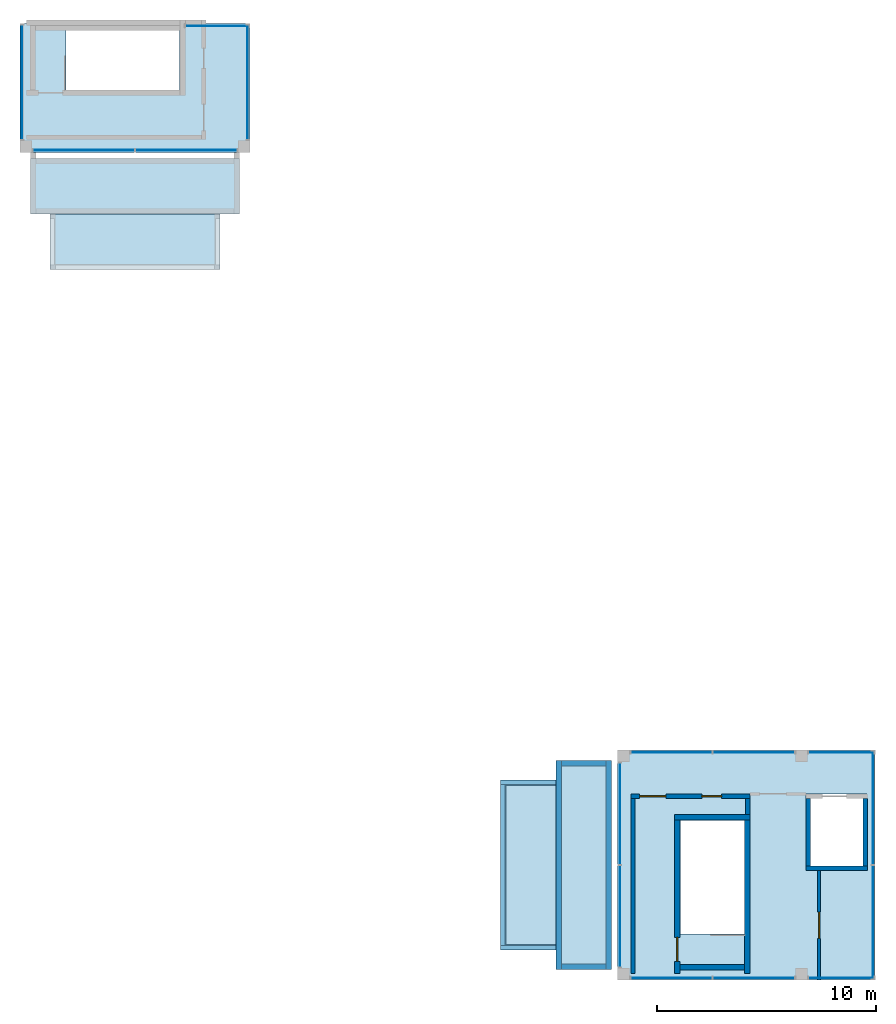
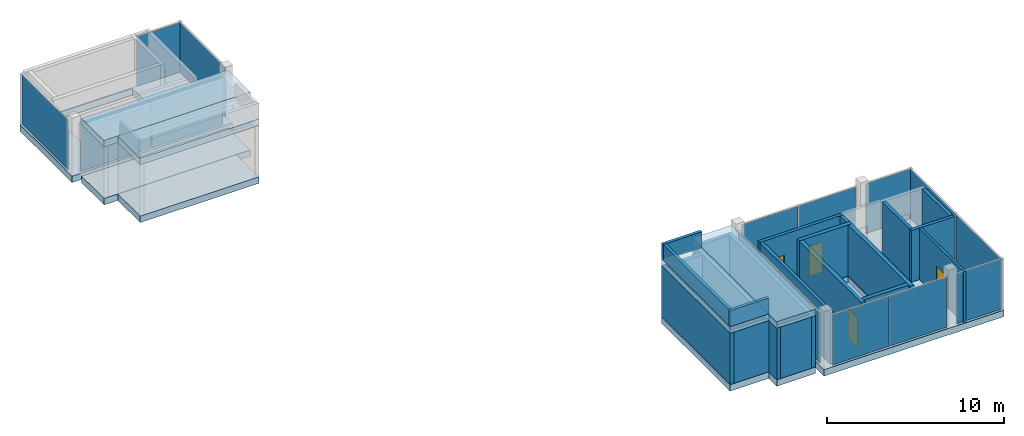
# One storey, part 4 of 6: 21 walls, 15 plates, 10 slabs, 4 doors, 4 openings, 10 elements without a shape of their own.
"""IFC4 building model written with IfcOpenShell, lengths in metres."""

from ifc_helpers import new_model, si_unit, direction, frame, frame_2d, origin, origin_2d, place, context, subcontext, project, spatial, polyline, rectangle, outline, extrude, source, transform, mapped, material, layer, layer_set, type_object, element, fill, aggregate, save


model = new_model("IFC4")

# Units and contexts
model_context = context("Model", 3, precision=1e-05, world=origin(), true_north=direction((0.0, 1.0)))
body_context = subcontext(model_context, "Body", "Model", "MODEL_VIEW")
ifc_project = project(units=[si_unit("LENGTHUNIT", "METRE"), si_unit("AREAUNIT", "SQUARE_METRE"), si_unit("VOLUMEUNIT", "CUBIC_METRE"), si_unit("PLANEANGLEUNIT", "RADIAN"), si_unit("MASSUNIT", "GRAM", prefix="KILO")], contexts=[model_context])

# Site, building, storey
site_placement = place(None, origin())
site = spatial("IfcSite", under=ifc_project, at=site_placement, CompositionType="ELEMENT")
building_placement = place(site_placement, origin())
building = spatial("IfcBuilding", under=site, at=building_placement, Name="Aurelian Terraces", CompositionType="ELEMENT")
storey_placement = place(building_placement, frame((0.0, 0.0, 380.5)))
storey = spatial("IfcBuildingStorey", under=building, at=storey_placement, Name="L91", CompositionType="ELEMENT", Elevation=380.5)

# Slabs
ifc_material_1 = material(Name="Concrete fc' 40 MPa", Category="concrete")
ifc_layer_1 = layer(ifc_material_1, 0.45)
ifc_layer_set_1 = layer_set([ifc_layer_1], Name="CROWN PLANT FLOOR 450")
slab_type_1 = type_object("IfcSlabType", Name="CROWN PLANT FLOOR 450", PredefinedType="FLOOR", material=ifc_layer_set_1)
slab_1_placement = place(storey_placement, frame((0.0, 0.0, -0.45)))
element("IfcSlab", 1, at=slab_1_placement, inside=storey, type_object=slab_type_1, Name="Crown tier plant floor slab A1S2", PredefinedType="FLOOR", context=body_context, shape_type="SweptSolid", body=[
    extrude(outline(polyline([(34.992, 1.375), (34.992, 9.125), (32.458, 9.125), (32.458, 1.375), (34.992, 1.375)])), origin(), (0.0, 0.0, 1.0), 0.45),
])
slab_2_placement = place(storey_placement, frame((0.0, 0.0, -0.45)))
element("IfcSlab", 2, at=slab_2_placement, inside=storey, type_object=slab_type_1, Name="Crown tier plant floor slab A1S3", PredefinedType="FLOOR", context=body_context, shape_type="SweptSolid", body=[
    extrude(outline(polyline([(37.525, 0.475), (37.525, 10.025), (34.992, 10.025), (34.992, 0.475), (37.525, 0.475)])), origin(), (0.0, 0.0, 1.0), 0.45),
])
slab_3_placement = place(storey_placement, frame((0.0, 0.0, -0.45)))
element("IfcSlab", 3, at=slab_3_placement, inside=storey, type_object=slab_type_1, Name="Crown tier plant floor slab BS2", PredefinedType="FLOOR", context=body_context, shape_type="SweptSolid", body=[
    extrude(outline(polyline([(19.625, 32.458), (19.625, 34.992), (11.875, 34.992), (11.875, 32.458), (19.625, 32.458)])), origin(), (0.0, 0.0, 1.0), 0.45),
])
slab_4_placement = place(storey_placement, frame((0.0, 0.0, -0.45)))
element("IfcSlab", 4, at=slab_4_placement, inside=storey, type_object=slab_type_1, Name="Crown tier plant floor slab BS3", PredefinedType="FLOOR", context=body_context, shape_type="SweptSolid", body=[
    extrude(outline(polyline([(20.525, 34.992), (20.525, 37.525), (10.975, 37.525), (10.975, 34.992), (20.525, 34.992)])), origin(), (0.0, 0.0, 1.0), 0.45),
])
ifc_layer_2 = layer(ifc_material_1, 0.45)
ifc_layer_set_2 = layer_set([ifc_layer_2], Name="CROWN ROOF SLAB 450")
slab_type_2 = type_object("IfcSlabType", Name="CROWN ROOF SLAB 450", PredefinedType="ROOF", material=ifc_layer_set_2)
slab_5_placement = place(storey_placement, frame((0.0, 0.0, 3.55)))
element("IfcSlab", 5, at=slab_5_placement, inside=storey, type_object=slab_type_2, Name="Crown tier roof slab A1S2", PredefinedType="ROOF", context=body_context, shape_type="SweptSolid", body=[
    extrude(outline(polyline([(34.992, 1.375), (34.992, 9.125), (32.458, 9.125), (32.458, 1.375), (34.992, 1.375)])), origin(), (0.0, 0.0, 1.0), 0.45),
])
slab_6_placement = place(storey_placement, frame((0.0, 0.0, 3.55)))
element("IfcSlab", 6, at=slab_6_placement, inside=storey, type_object=slab_type_2, Name="Crown tier roof slab BS2", PredefinedType="ROOF", context=body_context, shape_type="SweptSolid", body=[
    extrude(outline(polyline([(19.625, 32.458), (19.625, 34.992), (11.875, 34.992), (11.875, 32.458), (19.625, 32.458)])), origin(), (0.0, 0.0, 1.0), 0.45),
])

# Curtain wall, plate
ifc_material_2 = material(Name="Anodised aluminium and clear glazing", Category="aluminium")
ifc_layer_3 = layer(ifc_material_2, 0.2)
ifc_layer_set_3 = layer_set([ifc_layer_3], Name="Crown glazing curtain wall")
curtain_wall_type = type_object("IfcCurtainWallType", Name="Crown glazing curtain wall", PredefinedType="NOTDEFINED", material=ifc_layer_set_3)
curtain_wall_1_placement = place(storey_placement, origin())
curtain_wall_1 = element("IfcCurtainWall", 7, at=curtain_wall_1_placement, inside=storey, type_object=curtain_wall_type, Name="Crown glazing L91 F01.1", PredefinedType="NOTDEFINED")
ifc_material_3 = material(Name="Clear glazing", Category="glass")
ifc_layer_4 = layer(ifc_material_3, 0.028)
ifc_layer_set_4 = layer_set([ifc_layer_4], Name="Crown glazing glazing panel")
plate_type = type_object("IfcPlateType", Name="Crown glazing glazing panel", PredefinedType="CURTAIN_PANEL", material=ifc_layer_set_4)
plate_1_placement = place(storey_placement, frame((40.2588, 0.1, 0.06), z_axis=(0.0, 0.0, 1.0), x_axis=(1.0, 0.0, 0.0)))
plate_1 = element("IfcPlate", 8, at=plate_1_placement, type_object=plate_type, Name="CW4 panel 1.1", PredefinedType="CURTAIN_PANEL", context=body_context, shape_type="SweptSolid", body=[
    extrude(rectangle(XDim=3.6975, YDim=0.028, at=origin_2d()), origin(), (0.0, 0.0, 1.0), 3.43),
])

curtain_wall_2_placement = place(storey_placement, origin())
curtain_wall_2 = element("IfcCurtainWall", 9, at=curtain_wall_2_placement, inside=storey, type_object=curtain_wall_type, Name="Crown glazing L91 F01.2", PredefinedType="NOTDEFINED")
plate_2_placement = place(storey_placement, frame((48.0175, 0.1, 0.06), z_axis=(0.0, 0.0, 1.0), x_axis=(1.0, 0.0, 0.0)))
plate_2 = element("IfcPlate", 10, at=plate_2_placement, type_object=plate_type, Name="CW4 panel 1.1", PredefinedType="CURTAIN_PANEL", context=body_context, shape_type="SweptSolid", body=[
    extrude(rectangle(XDim=2.965, YDim=0.028, at=origin_2d()), origin(), (0.0, 0.0, 1.0), 3.43),
])
aggregate(curtain_wall_2, [plate_2])

curtain_wall_3_placement = place(storey_placement, origin())
curtain_wall_3 = element("IfcCurtainWall", 11, at=curtain_wall_3_placement, inside=storey, type_object=curtain_wall_type, Name="Crown glazing L91 F02.1", PredefinedType="NOTDEFINED")
plate_3_placement = place(storey_placement, frame((49.46, 2.64, 0.06), z_axis=(0.0, 0.0, 1.0), x_axis=(0.0, 1.0, 0.0)))
plate_3 = element("IfcPlate", 12, at=plate_3_placement, type_object=plate_type, Name="CW4 panel 1.1", PredefinedType="CURTAIN_PANEL", context=body_context, shape_type="SweptSolid", body=[
    extrude(rectangle(XDim=5.16, YDim=0.028, at=origin_2d()), origin(), (0.0, 0.0, 1.0), 3.43),
])

curtain_wall_4_placement = place(storey_placement, origin())
curtain_wall_4 = element("IfcCurtainWall", 13, at=curtain_wall_4_placement, inside=storey, type_object=curtain_wall_type, Name="Crown glazing L91 F04.1", PredefinedType="NOTDEFINED")
plate_4_placement = place(storey_placement, frame((37.9, 7.585, 0.06), z_axis=(0.0, 0.0, 1.0), x_axis=(0.0, -1.0, 0.0)))
plate_4 = element("IfcPlate", 14, at=plate_4_placement, type_object=plate_type, Name="CW4 panel 1.1", PredefinedType="CURTAIN_PANEL", context=body_context, shape_type="SweptSolid", body=[
    extrude(rectangle(XDim=4.61, YDim=0.028, at=origin_2d()), origin(), (0.0, 0.0, 1.0), 3.43),
])

curtain_wall_5_placement = place(storey_placement, origin())
curtain_wall_5 = element("IfcCurtainWall", 15, at=curtain_wall_5_placement, inside=storey, type_object=curtain_wall_type, Name="Crown glazing L91 F06.1", PredefinedType="NOTDEFINED")
plate_5_placement = place(storey_placement, frame((20.9, 41.015, 0.06), z_axis=(0.0, 0.0, 1.0), x_axis=(0.0, 1.0, 0.0)))
plate_5 = element("IfcPlate", 16, at=plate_5_placement, type_object=plate_type, Name="CW4 panel 1.1", PredefinedType="CURTAIN_PANEL", context=body_context, shape_type="SweptSolid", body=[
    extrude(rectangle(XDim=5.21, YDim=0.028, at=origin_2d()), origin(), (0.0, 0.0, 1.0), 3.43),
])
aggregate(curtain_wall_5, [plate_5])

curtain_wall_6_placement = place(storey_placement, origin())
curtain_wall_6 = element("IfcCurtainWall", 17, at=curtain_wall_6_placement, inside=storey, type_object=curtain_wall_type, Name="Crown glazing L91 F07.1", PredefinedType="NOTDEFINED")
plate_6_placement = place(storey_placement, frame((19.5, 43.58, 0.06), z_axis=(0.0, 0.0, 1.0), x_axis=(-1.0, 0.0, 0.0)))
plate_6 = element("IfcPlate", 18, at=plate_6_placement, type_object=plate_type, Name="CW4 panel 1.1", PredefinedType="CURTAIN_PANEL", context=body_context, shape_type="SweptSolid", body=[
    extrude(rectangle(XDim=2.88, YDim=0.028, at=origin_2d()), origin(), (0.0, 0.0, 1.0), 3.43),
])
aggregate(curtain_wall_6, [plate_6])

# Slabs
ifc_layer_5 = layer(ifc_material_1, 0.45)
ifc_layer_set_5 = layer_set([ifc_layer_5], Name="PT FLAT PLATE 450")
slab_type_3 = type_object("IfcSlabType", Name="PT FLAT PLATE 450", PredefinedType="FLOOR", material=ifc_layer_set_5)
shared_shape_1 = source(origin(), body_context, "Body", "SweptSolid", [
    extrude(outline(polyline([(37.8, 0.0), (37.8, 10.5), (49.56, 10.5), (49.56, 6.3), (49.56, 4.2), (49.56, 0.0), (46.2, 0.0), (37.8, 0.0)]), holes=[polyline([(46.41, 8.49), (46.41, 5.01), (49.19, 5.01), (49.19, 8.49), (46.41, 8.49)]), polyline([(43.59, 2.11), (43.59, 7.29), (40.66, 7.29), (40.66, 2.11), (43.59, 2.11)])]), origin(), (0.0, 0.0, 1.0), 0.45),
])
slab_7_placement = place(storey_placement, frame((0.0, 0.0, -0.45)))
element("IfcSlab", 19, at=slab_7_placement, inside=storey, type_object=slab_type_3, Name="Floor slab A L91", PredefinedType="FLOOR", context=body_context, shape_type="MappedRepresentation", body=[
    mapped(shared_shape_1, transform((0.0, 0.0, 0.0), scale=1.0)),
])
shared_shape_2 = source(origin(), body_context, "Body", "SweptSolid", [
    extrude(outline(polyline([(14.7, 43.68), (16.8, 43.68), (21.0, 43.68), (21.0, 37.8), (10.5, 37.8), (10.5, 43.68), (14.7, 43.68)]), holes=[polyline([(12.61, 43.59), (12.61, 40.66), (17.79, 40.66), (17.79, 43.59), (12.61, 43.59)])]), origin(), (0.0, 0.0, 1.0), 0.45),
])
slab_8_placement = place(storey_placement, frame((0.0, 0.0, -0.45)))
element("IfcSlab", 20, at=slab_8_placement, inside=storey, type_object=slab_type_3, Name="Floor slab B L91", PredefinedType="FLOOR", context=body_context, shape_type="MappedRepresentation", body=[
    mapped(shared_shape_2, transform((0.0, 0.0, 0.0), scale=1.0)),
])
shared_shape_3 = source(origin(), body_context, "Body", "SweptSolid", [
    extrude(outline(polyline([(37.525, 0.475), (37.525, 10.025), (34.992, 10.025), (34.992, 0.475), (37.525, 0.475)])), origin(), (0.0, 0.0, 1.0), 0.45),
])
slab_9_placement = place(storey_placement, frame((0.0, 0.0, 3.55)))
element("IfcSlab", 21, at=slab_9_placement, inside=storey, type_object=slab_type_1, Name="Crown tier plant floor slab A1S3", PredefinedType="FLOOR", context=body_context, shape_type="MappedRepresentation", body=[
    mapped(shared_shape_3, transform((0.0, 0.0, 0.0), scale=1.0)),
])
shared_shape_4 = source(origin(), body_context, "Body", "SweptSolid", [
    extrude(outline(polyline([(20.525, 34.992), (20.525, 37.525), (10.975, 37.525), (10.975, 34.992), (20.525, 34.992)])), origin(), (0.0, 0.0, 1.0), 0.45),
])
slab_10_placement = place(storey_placement, frame((0.0, 0.0, 3.55)))
element("IfcSlab", 22, at=slab_10_placement, inside=storey, type_object=slab_type_1, Name="Crown tier plant floor slab BS3", PredefinedType="FLOOR", context=body_context, shape_type="MappedRepresentation", body=[
    mapped(shared_shape_4, transform((0.0, 0.0, 0.0), scale=1.0)),
])

# Plate
shared_shape_5 = source(origin(), body_context, "Body", "SweptSolid", [
    extrude(rectangle(XDim=3.6975, YDim=0.028, at=origin_2d()), origin(), (0.0, 0.0, 1.0), 3.43),
])
plate_7_placement = place(storey_placement, frame((44.0162, 0.1, 0.06), z_axis=(0.0, 0.0, 1.0), x_axis=(1.0, 0.0, 0.0)))
plate_7 = element("IfcPlate", 23, at=plate_7_placement, type_object=plate_type, Name="CW4 panel 2.1", PredefinedType="CURTAIN_PANEL", context=body_context, shape_type="MappedRepresentation", body=[
    mapped(shared_shape_5, transform((0.0, 0.0, 0.0), scale=1.0)),
])

aggregate(curtain_wall_1, [plate_1, plate_7])

# Curtain wall, plates
curtain_wall_7_placement = place(storey_placement, origin())
curtain_wall_7 = element("IfcCurtainWall", 24, at=curtain_wall_7_placement, inside=storey, type_object=curtain_wall_type, Name="Crown glazing L91 F03.2", PredefinedType="NOTDEFINED")
plate_8_placement = place(storey_placement, frame((44.0162, 10.4, 0.06), z_axis=(0.0, 0.0, 1.0), x_axis=(-1.0, 0.0, 0.0)))
plate_8 = element("IfcPlate", 25, at=plate_8_placement, type_object=plate_type, Name="CW4 panel 1.1", PredefinedType="CURTAIN_PANEL", context=body_context, shape_type="MappedRepresentation", body=[
    mapped(shared_shape_5, transform((0.0, 0.0, 0.0), scale=1.0)),
])
plate_9_placement = place(storey_placement, frame((40.2588, 10.4, 0.06), z_axis=(0.0, 0.0, 1.0), x_axis=(-1.0, 0.0, 0.0)))
plate_9 = element("IfcPlate", 26, at=plate_9_placement, type_object=plate_type, Name="CW4 panel 2.1", PredefinedType="CURTAIN_PANEL", context=body_context, shape_type="MappedRepresentation", body=[
    mapped(shared_shape_5, transform((0.0, 0.0, 0.0), scale=1.0)),
])
aggregate(curtain_wall_7, [plate_8, plate_9])

# Plate
shared_shape_6 = source(origin(), body_context, "Body", "SweptSolid", [
    extrude(rectangle(XDim=5.16, YDim=0.028, at=origin_2d()), origin(), (0.0, 0.0, 1.0), 3.43),
])
plate_10_placement = place(storey_placement, frame((49.46, 7.86, 0.06), z_axis=(0.0, 0.0, 1.0), x_axis=(0.0, 1.0, 0.0)))
plate_10 = element("IfcPlate", 27, at=plate_10_placement, type_object=plate_type, Name="CW4 panel 2.1", PredefinedType="CURTAIN_PANEL", context=body_context, shape_type="MappedRepresentation", body=[
    mapped(shared_shape_6, transform((0.0, 0.0, 0.0), scale=1.0)),
])

aggregate(curtain_wall_3, [plate_3, plate_10])

# Curtain wall, plate
curtain_wall_8_placement = place(storey_placement, origin())
curtain_wall_8 = element("IfcCurtainWall", 28, at=curtain_wall_8_placement, inside=storey, type_object=curtain_wall_type, Name="Crown glazing L91 F03.1", PredefinedType="NOTDEFINED")
shared_shape_7 = source(origin(), body_context, "Body", "SweptSolid", [
    extrude(rectangle(XDim=2.965, YDim=0.028, at=origin_2d()), origin(), (0.0, 0.0, 1.0), 3.43),
])
plate_11_placement = place(storey_placement, frame((48.0175, 10.4, 0.06), z_axis=(0.0, 0.0, 1.0), x_axis=(-1.0, 0.0, 0.0)))
plate_11 = element("IfcPlate", 29, at=plate_11_placement, type_object=plate_type, Name="CW4 panel 1.1", PredefinedType="CURTAIN_PANEL", context=body_context, shape_type="MappedRepresentation", body=[
    mapped(shared_shape_7, transform((0.0, 0.0, 0.0), scale=1.0)),
])
aggregate(curtain_wall_8, [plate_11])

# Plate
shared_shape_8 = source(origin(), body_context, "Body", "SweptSolid", [
    extrude(rectangle(XDim=4.61, YDim=0.028, at=origin_2d()), origin(), (0.0, 0.0, 1.0), 3.43),
])
plate_12_placement = place(storey_placement, frame((37.9, 2.915, 0.06), z_axis=(0.0, 0.0, 1.0), x_axis=(0.0, -1.0, 0.0)))
plate_12 = element("IfcPlate", 30, at=plate_12_placement, type_object=plate_type, Name="CW4 panel 2.1", PredefinedType="CURTAIN_PANEL", context=body_context, shape_type="MappedRepresentation", body=[
    mapped(shared_shape_8, transform((0.0, 0.0, 0.0), scale=1.0)),
])

aggregate(curtain_wall_4, [plate_4, plate_12])

# Curtain wall, plates
curtain_wall_9_placement = place(storey_placement, origin())
curtain_wall_9 = element("IfcCurtainWall", 31, at=curtain_wall_9_placement, inside=storey, type_object=curtain_wall_type, Name="Crown glazing L91 F05.1", PredefinedType="NOTDEFINED")
plate_13_placement = place(storey_placement, frame((13.415, 37.9, 0.06), z_axis=(0.0, 0.0, 1.0), x_axis=(1.0, 0.0, 0.0)))
plate_13 = element("IfcPlate", 32, at=plate_13_placement, type_object=plate_type, Name="CW4 panel 1.1", PredefinedType="CURTAIN_PANEL", context=body_context, shape_type="MappedRepresentation", body=[
    mapped(shared_shape_8, transform((0.0, 0.0, 0.0), scale=1.0)),
])
plate_14_placement = place(storey_placement, frame((18.085, 37.9, 0.06), z_axis=(0.0, 0.0, 1.0), x_axis=(1.0, 0.0, 0.0)))
plate_14 = element("IfcPlate", 33, at=plate_14_placement, type_object=plate_type, Name="CW4 panel 2.1", PredefinedType="CURTAIN_PANEL", context=body_context, shape_type="MappedRepresentation", body=[
    mapped(shared_shape_8, transform((0.0, 0.0, 0.0), scale=1.0)),
])
aggregate(curtain_wall_9, [plate_13, plate_14])

# Curtain wall, plate
curtain_wall_10_placement = place(storey_placement, origin())
curtain_wall_10 = element("IfcCurtainWall", 34, at=curtain_wall_10_placement, inside=storey, type_object=curtain_wall_type, Name="Crown glazing L91 F08.1", PredefinedType="NOTDEFINED")
shared_shape_9 = source(origin(), body_context, "Body", "SweptSolid", [
    extrude(rectangle(XDim=5.21, YDim=0.028, at=origin_2d()), origin(), (0.0, 0.0, 1.0), 3.43),
])
plate_15_placement = place(storey_placement, frame((10.6, 41.015, 0.06), z_axis=(0.0, 0.0, 1.0), x_axis=(0.0, -1.0, 0.0)))
plate_15 = element("IfcPlate", 35, at=plate_15_placement, type_object=plate_type, Name="CW4 panel 1.1", PredefinedType="CURTAIN_PANEL", context=body_context, shape_type="MappedRepresentation", body=[
    mapped(shared_shape_9, transform((0.0, 0.0, 0.0), scale=1.0)),
])
aggregate(curtain_wall_10, [plate_15])

# Walls
ifc_layer_6 = layer(ifc_material_1, 0.2)
ifc_layer_set_6 = layer_set([ifc_layer_6], Name="CROWN PARAPET 200 FC40")
wall_type_1 = type_object("IfcWallType", Name="CROWN PARAPET 200 FC40", PredefinedType="SOLIDWALL", material=ifc_layer_set_6)
wall_1_placement = place(storey_placement, frame((32.458, 1.475, 4.0), z_axis=(0.0, 0.0, 1.0), x_axis=(1.0, 0.0, 0.0)))
element("IfcWall", 36, at=wall_1_placement, inside=storey, type_object=wall_type_1, Name="Crown roof parapet A1S2", PredefinedType="SOLIDWALL", context=body_context, shape_type="SweptSolid", body=[
    extrude(rectangle(XDim=2.534, YDim=0.2, at=frame_2d((1.267, 0.0))), origin(), (0.0, 0.0, 1.0), 1.1),
])
ifc_layer_7 = layer(ifc_material_1, 0.2)
ifc_layer_set_7 = layer_set([ifc_layer_7], Name="Lift shaft wall 200")
wall_type_2 = type_object("IfcWallType", Name="Lift shaft wall 200", PredefinedType="SOLIDWALL", material=ifc_layer_set_7)
wall_2_placement = place(storey_placement, frame((46.4, 5.1, 0.0), z_axis=(0.0, 0.0, 1.0), x_axis=(1.0, 0.0, 0.0)))
element("IfcWall", 37, at=wall_2_placement, inside=storey, type_object=wall_type_2, Name="L91 core wall SV-F", PredefinedType="SOLIDWALL", context=body_context, shape_type="SweptSolid", body=[
    extrude(rectangle(XDim=2.8, YDim=0.2, at=frame_2d((1.4, 0.0))), origin(), (0.0, 0.0, 1.0), 3.55),
])
ifc_material_4 = material(Name="Concrete fc' 55 MPa", Category="concrete")
ifc_layer_8 = layer(ifc_material_4, 0.25)
ifc_layer_set_8 = layer_set([ifc_layer_8], Name="PLANT PENTHOUSE 250 FC55")
wall_type_3 = type_object("IfcWallType", Name="PLANT PENTHOUSE 250 FC55", PredefinedType="SOLIDWALL", material=ifc_layer_set_8)
wall_3_placement = place(storey_placement, frame((37.4, 0.475, 0.0), z_axis=(0.0, 0.0, 1.0), x_axis=(0.0, 1.0, 0.0)))
element("IfcWall", 38, at=wall_3_placement, inside=storey, type_object=wall_type_3, Name="Crown tier wall A1S3", PredefinedType="SOLIDWALL", context=body_context, shape_type="SweptSolid", body=[
    extrude(rectangle(XDim=9.55, YDim=0.25, at=frame_2d((4.775, 0.0))), origin(), (0.0, 0.0, 1.0), 3.55),
])
shared_shape_10 = source(origin(), body_context, "Body", "SweptSolid", [
    extrude(rectangle(XDim=7.35, YDim=0.2, at=frame_2d((3.675, 0.0))), origin(), (0.0, 0.0, 1.0), 1.1),
])
wall_4_placement = place(storey_placement, frame((32.558, 1.575, 4.0), z_axis=(0.0, 0.0, 1.0), x_axis=(0.0, 1.0, 0.0)))
element("IfcWall", 39, at=wall_4_placement, inside=storey, type_object=wall_type_1, Name="Crown roof parapet A1S2", PredefinedType="SOLIDWALL", context=body_context, shape_type="MappedRepresentation", body=[
    mapped(shared_shape_10, transform((0.0, 0.0, 0.0), scale=1.0)),
])
shared_shape_11 = source(origin(), body_context, "Body", "SweptSolid", [
    extrude(rectangle(XDim=2.284, YDim=0.25, at=frame_2d((1.142, 0.0))), origin(), (0.0, 0.0, 1.0), 3.55),
])
for number, where, z_axis, x_axis, name in (
    (40, (32.708, 1.5, 0.0), (0.0, 0.0, 1.0), (1.0, 0.0, 0.0), "Crown tier wall A1S2"),
    (41, (34.992, 9.0, 0.0), (0.0, 0.0, 1.0), (-1.0, 0.0, 0.0), "Crown tier wall A1S2"),
):
    element("IfcWall", number, at=place(storey_placement, frame(where, z_axis=z_axis, x_axis=x_axis)), inside=storey, type_object=wall_type_3, Name=name, PredefinedType="SOLIDWALL", context=body_context, shape_type="MappedRepresentation", body=[
        mapped(shared_shape_11, transform((0.0, 0.0, 0.0), scale=1.0)),
    ])
shared_shape_12 = source(origin(), body_context, "Body", "SweptSolid", [
    extrude(rectangle(XDim=7.75, YDim=0.25, at=frame_2d((3.875, 0.0))), origin(), (0.0, 0.0, 1.0), 3.55),
])
wall_5_placement = place(storey_placement, frame((32.583, 9.125, 0.0), z_axis=(0.0, 0.0, 1.0), x_axis=(0.0, -1.0, 0.0)))
element("IfcWall", 42, at=wall_5_placement, inside=storey, type_object=wall_type_3, Name="Crown tier wall A1S2", PredefinedType="SOLIDWALL", context=body_context, shape_type="MappedRepresentation", body=[
    mapped(shared_shape_12, transform((0.0, 0.0, 0.0), scale=1.0)),
])
shared_shape_13 = source(origin(), body_context, "Body", "SweptSolid", [
    extrude(rectangle(XDim=2.534, YDim=0.2, at=frame_2d((1.267, 0.0))), origin(), (0.0, 0.0, 1.0), 1.1),
])
wall_6_placement = place(storey_placement, frame((32.458, 9.025, 4.0), z_axis=(0.0, 0.0, 1.0), x_axis=(1.0, 0.0, 0.0)))
element("IfcWall", 43, at=wall_6_placement, inside=storey, type_object=wall_type_1, Name="Crown roof parapet A1S2", PredefinedType="SOLIDWALL", context=body_context, shape_type="MappedRepresentation", body=[
    mapped(shared_shape_13, transform((0.0, 0.0, 0.0), scale=1.0)),
])
shared_shape_14 = source(origin(), body_context, "Body", "SweptSolid", [
    extrude(rectangle(XDim=2.033, YDim=0.25, at=frame_2d((1.0165, 0.0))), origin(), (0.0, 0.0, 1.0), 3.55),
])
for number, where, z_axis, x_axis, name in (
    (44, (35.242, 0.6, 0.0), (0.0, 0.0, 1.0), (1.0, 0.0, 0.0), "Crown tier wall A1S3"),
    (45, (37.275, 9.9, 0.0), (0.0, 0.0, 1.0), (-1.0, 0.0, 0.0), "Crown tier wall A1S3"),
):
    element("IfcWall", number, at=place(storey_placement, frame(where, z_axis=z_axis, x_axis=x_axis)), inside=storey, type_object=wall_type_3, Name=name, PredefinedType="SOLIDWALL", context=body_context, shape_type="MappedRepresentation", body=[
        mapped(shared_shape_14, transform((0.0, 0.0, 0.0), scale=1.0)),
    ])
shared_shape_15 = source(origin(), body_context, "Body", "SweptSolid", [
    extrude(rectangle(XDim=9.55, YDim=0.25, at=frame_2d((4.775, 0.0))), origin(), (0.0, 0.0, 1.0), 3.55),
])
wall_7_placement = place(storey_placement, frame((35.117, 10.025, 0.0), z_axis=(0.0, 0.0, 1.0), x_axis=(0.0, -1.0, 0.0)))
element("IfcWall", 46, at=wall_7_placement, inside=storey, type_object=wall_type_3, Name="Crown tier wall A1S3", PredefinedType="SOLIDWALL", context=body_context, shape_type="MappedRepresentation", body=[
    mapped(shared_shape_15, transform((0.0, 0.0, 0.0), scale=1.0)),
])
shared_shape_16 = source(origin(), body_context, "Body", "SweptSolid", [
    extrude(rectangle(XDim=3.1, YDim=0.2, at=frame_2d((1.55, 0.0))), origin(), (0.0, 0.0, 1.0), 3.55),
])
for number, where, z_axis, x_axis, name in (
    (47, (46.5, 5.2, 0.0), (0.0, 0.0, 1.0), (0.0, 1.0, 0.0), "L91 core wall SV-W"),
    (48, (49.1, 5.2, 0.0), (0.0, 0.0, 1.0), (0.0, 1.0, 0.0), "L91 core wall SV-E"),
):
    element("IfcWall", number, at=place(storey_placement, frame(where, z_axis=z_axis, x_axis=x_axis)), inside=storey, type_object=wall_type_2, Name=name, PredefinedType="SOLIDWALL", context=body_context, shape_type="MappedRepresentation", body=[
        mapped(shared_shape_16, transform((0.0, 0.0, 0.0), scale=1.0)),
    ])

# Wall, opening, door
ifc_layer_9 = layer(ifc_material_1, 0.25)
ifc_layer_set_9 = layer_set([ifc_layer_9], Name="Stair enclosure wall 250")
wall_type_4 = type_object("IfcWallType", Name="Stair enclosure wall 250", PredefinedType="SOLIDWALL", material=ifc_layer_set_9)
shared_shape_17 = source(origin(), body_context, "Body", "SweptSolid", [
    extrude(rectangle(XDim=7.0, YDim=0.25, at=frame_2d((3.5, 0.0))), origin(), (0.0, 0.0, 1.0), 3.55),
])
wall_8_placement = place(storey_placement, frame((40.525, 0.3, 0.0), z_axis=(0.0, 0.0, 1.0), x_axis=(0.0, 1.0, 0.0)))
wall_8 = element("IfcWall", 49, at=wall_8_placement, inside=storey, type_object=wall_type_4, Name="L91 core wall ST-S2-W", PredefinedType="SOLIDWALL", context=body_context, shape_type="MappedRepresentation", body=[
    mapped(shared_shape_17, transform((0.0, 0.0, 0.0), scale=1.0)),
])
shared_shape_18 = source(origin(), body_context, "Body", "SweptSolid", [
    extrude(rectangle(XDim=1.1, YDim=2.1, at=frame_2d((0.55, 1.05))), frame((0.0, 0.135, 0.0), z_axis=(0.0, -1.0, 0.0), x_axis=(1.0, 0.0, 0.0)), (0.0, 0.0, 1.0), 0.27),
])
opening_1_placement = place(wall_8_placement, frame((0.55, 0.0, 0.0)))
opening_1 = element("IfcOpeningElement", 50, at=opening_1_placement, cuts=wall_8, Name="Opening 69401", PredefinedType="OPENING", context=body_context, shape_type="MappedRepresentation", body=[
    mapped(shared_shape_18, transform((0.0, 0.0, 0.0), scale=1.0)),
])
ifc_material_5 = material(Name="Steel door leaf", Category="steel")
door_type_1 = type_object("IfcDoorType", Name="Core fire door 1100x2100 right", OperationType="SINGLE_SWING_RIGHT", PredefinedType="DOOR", material=ifc_material_5)
shared_shape_19 = source(origin(), body_context, "Body", "SweptSolid", [
    extrude(rectangle(XDim=1.1, YDim=2.1, at=frame_2d((0.55, 1.05))), frame((0.0, 0.025, 0.0), z_axis=(0.0, -1.0, 0.0), x_axis=(1.0, 0.0, 0.0)), (0.0, 0.0, 1.0), 0.05),
])
door_1_placement = place(opening_1_placement, origin())
door_1 = element("IfcDoor", 51, at=door_1_placement, inside=storey, type_object=door_type_1, Name="Stair door 69401", OperationType="SINGLE_SWING_RIGHT", OverallHeight=2.1, OverallWidth=1.1, PredefinedType="DOOR", context=body_context, shape_type="MappedRepresentation", body=[
    mapped(shared_shape_19, transform((0.0, 0.0, 0.0), scale=1.0)),
])
fill(opening_1, door_1)

# Walls
wall_9_placement = place(storey_placement, frame((43.725, 0.3, 0.0), z_axis=(0.0, 0.0, 1.0), x_axis=(0.0, 1.0, 0.0)))
element("IfcWall", 52, at=wall_9_placement, inside=storey, type_object=wall_type_4, Name="L91 core wall ST-S2-E", PredefinedType="SOLIDWALL", context=body_context, shape_type="MappedRepresentation", body=[
    mapped(shared_shape_17, transform((0.0, 0.0, 0.0), scale=1.0)),
])
shared_shape_20 = source(origin(), body_context, "Body", "SweptSolid", [
    extrude(rectangle(XDim=3.45, YDim=0.25, at=frame_2d((1.725, 0.0))), origin(), (0.0, 0.0, 1.0), 3.55),
])
wall_10_placement = place(storey_placement, frame((40.4, 7.425, 0.0), z_axis=(0.0, 0.0, 1.0), x_axis=(1.0, 0.0, 0.0)))
element("IfcWall", 53, at=wall_10_placement, inside=storey, type_object=wall_type_4, Name="L91 core wall ST-S2-N", PredefinedType="SOLIDWALL", context=body_context, shape_type="MappedRepresentation", body=[
    mapped(shared_shape_20, transform((0.0, 0.0, 0.0), scale=1.0)),
])
ifc_material_6 = material(Name="Gypsum board on steel studs", Category="steel")
ifc_layer_10 = layer(ifc_material_6, 0.2)
ifc_layer_set_10 = layer_set([ifc_layer_10], Name="Core partition 200")
wall_type_5 = type_object("IfcWallType", Name="Core partition 200", PredefinedType="PARTITIONING", material=ifc_layer_set_10)
shared_shape_21 = source(origin(), body_context, "Body", "SweptSolid", [
    extrude(rectangle(XDim=8.0, YDim=0.2, at=frame_2d((4.0, 0.0))), origin(), (0.0, 0.0, 1.0), 3.55),
])
wall_11_placement = place(storey_placement, frame((38.5, 0.3, 0.0), z_axis=(0.0, 0.0, 1.0), x_axis=(0.0, 1.0, 0.0)))
element("IfcWall", 54, at=wall_11_placement, inside=storey, type_object=wall_type_5, Name="L91 core wall ST-S2-VW", PredefinedType="PARTITIONING", context=body_context, shape_type="MappedRepresentation", body=[
    mapped(shared_shape_21, transform((0.0, 0.0, 0.0), scale=1.0)),
])

# Wall, openings, doors
shared_shape_22 = source(origin(), body_context, "Body", "SweptSolid", [
    extrude(rectangle(XDim=5.45, YDim=0.2, at=frame_2d((2.725, 0.0))), origin(), (0.0, 0.0, 1.0), 3.55),
])
wall_12_placement = place(storey_placement, frame((38.4, 8.4, 0.0), z_axis=(0.0, 0.0, 1.0), x_axis=(1.0, 0.0, 0.0)))
wall_12 = element("IfcWall", 55, at=wall_12_placement, inside=storey, type_object=wall_type_5, Name="L91 core wall ST-S2-BN", PredefinedType="PARTITIONING", context=body_context, shape_type="MappedRepresentation", body=[
    mapped(shared_shape_22, transform((0.0, 0.0, 0.0), scale=1.0)),
])
shared_shape_23 = source(origin(), body_context, "Body", "SweptSolid", [
    extrude(rectangle(XDim=1.2, YDim=2.1, at=frame_2d((0.6, 1.05))), frame((0.0, 0.11, 0.0), z_axis=(0.0, -1.0, 0.0), x_axis=(1.0, 0.0, 0.0)), (0.0, 0.0, 1.0), 0.22),
])
opening_2_placement = place(wall_12_placement, frame((0.4, 0.0, 0.0)))
opening_2 = element("IfcOpeningElement", 56, at=opening_2_placement, cuts=wall_12, Name="Opening 69402", PredefinedType="OPENING", context=body_context, shape_type="MappedRepresentation", body=[
    mapped(shared_shape_23, transform((0.0, 0.0, 0.0), scale=1.0)),
])
shared_shape_24 = source(origin(), body_context, "Body", "SweptSolid", [
    extrude(rectangle(XDim=0.9, YDim=2.1, at=frame_2d((0.45, 1.05))), frame((0.0, 0.11, 0.0), z_axis=(0.0, -1.0, 0.0), x_axis=(1.0, 0.0, 0.0)), (0.0, 0.0, 1.0), 0.22),
])
opening_3_placement = place(wall_12_placement, frame((3.25, 0.0, 0.0)))
opening_3 = element("IfcOpeningElement", 57, at=opening_3_placement, cuts=wall_12, Name="Opening 69403", PredefinedType="OPENING", context=body_context, shape_type="MappedRepresentation", body=[
    mapped(shared_shape_24, transform((0.0, 0.0, 0.0), scale=1.0)),
])
door_type_2 = type_object("IfcDoorType", Name="Core riser door 900x2100 right", OperationType="SINGLE_SWING_RIGHT", PredefinedType="DOOR", material=ifc_material_5)
shared_shape_25 = source(origin(), body_context, "Body", "SweptSolid", [
    extrude(rectangle(XDim=0.9, YDim=2.1, at=frame_2d((0.45, 1.05))), frame((0.0, 0.025, 0.0), z_axis=(0.0, -1.0, 0.0), x_axis=(1.0, 0.0, 0.0)), (0.0, 0.0, 1.0), 0.05),
])
door_2_placement = place(opening_3_placement, origin())
door_2 = element("IfcDoor", 58, at=door_2_placement, inside=storey, type_object=door_type_2, Name="Riser door 69403", OperationType="SINGLE_SWING_RIGHT", OverallHeight=2.1, OverallWidth=0.9, PredefinedType="DOOR", context=body_context, shape_type="MappedRepresentation", body=[
    mapped(shared_shape_25, transform((0.0, 0.0, 0.0), scale=1.0)),
])
fill(opening_3, door_2)
door_type_3 = type_object("IfcDoorType", Name="Core fire door 1200x2100", OperationType="SINGLE_SWING_LEFT", PredefinedType="DOOR", material=ifc_material_5)
shared_shape_26 = source(origin(), body_context, "Body", "SweptSolid", [
    extrude(rectangle(XDim=1.2, YDim=2.1, at=frame_2d((0.6, 1.05))), frame((0.0, 0.025, 0.0), z_axis=(0.0, -1.0, 0.0), x_axis=(1.0, 0.0, 0.0)), (0.0, 0.0, 1.0), 0.05),
])
door_3_placement = place(opening_2_placement, origin())
door_3 = element("IfcDoor", 59, at=door_3_placement, inside=storey, type_object=door_type_3, Name="Vestibule door 69402", OperationType="SINGLE_SWING_LEFT", OverallHeight=2.1, OverallWidth=1.2, PredefinedType="DOOR", context=body_context, shape_type="MappedRepresentation", body=[
    mapped(shared_shape_26, transform((0.0, 0.0, 0.0), scale=1.0)),
])
fill(opening_2, door_3)

# Walls
shared_shape_27 = source(origin(), body_context, "Body", "SweptSolid", [
    extrude(rectangle(XDim=0.75, YDim=0.2, at=frame_2d((0.375, 0.0))), origin(), (0.0, 0.0, 1.0), 3.55),
])
wall_13_placement = place(storey_placement, frame((43.75, 7.55, 0.0), z_axis=(0.0, 0.0, 1.0), x_axis=(0.0, 1.0, 0.0)))
element("IfcWall", 60, at=wall_13_placement, inside=storey, type_object=wall_type_5, Name="L91 core wall ST-S2-RE", PredefinedType="PARTITIONING", context=body_context, shape_type="MappedRepresentation", body=[
    mapped(shared_shape_27, transform((0.0, 0.0, 0.0), scale=1.0)),
])
shared_shape_28 = source(origin(), body_context, "Body", "SweptSolid", [
    extrude(rectangle(XDim=2.95, YDim=0.25, at=frame_2d((1.475, 0.0))), origin(), (0.0, 0.0, 1.0), 3.55),
])
wall_14_placement = place(storey_placement, frame((40.65, 0.575, 0.0), z_axis=(0.0, 0.0, 1.0), x_axis=(1.0, 0.0, 0.0)))
element("IfcWall", 61, at=wall_14_placement, inside=storey, type_object=wall_type_4, Name="L91 core wall ST-S2-SS", PredefinedType="SOLIDWALL", context=body_context, shape_type="MappedRepresentation", body=[
    mapped(shared_shape_28, transform((0.0, 0.0, 0.0), scale=1.0)),
])

# Wall, opening, door
ifc_layer_11 = layer(ifc_material_6, 0.15)
ifc_layer_set_11 = layer_set([ifc_layer_11], Name="Special partition 150")
wall_type_6 = type_object("IfcWallType", Name="Special partition 150", PredefinedType="PARTITIONING", material=ifc_layer_set_11)
shared_shape_29 = source(origin(), body_context, "Body", "SweptSolid", [
    extrude(rectangle(XDim=5.0, YDim=0.15, at=frame_2d((2.5, 0.0))), origin(), (0.0, 0.0, 1.0), 3.55),
])
wall_15_placement = place(storey_placement, frame((47.0, 0.0, 0.0), z_axis=(0.0, 0.0, 1.0), x_axis=(0.0, 1.0, 0.0)))
wall_15 = element("IfcWall", 62, at=wall_15_placement, inside=storey, type_object=wall_type_6, Name="L91 partition W02", PredefinedType="PARTITIONING", context=body_context, shape_type="MappedRepresentation", body=[
    mapped(shared_shape_29, transform((0.0, 0.0, 0.0), scale=1.0)),
])
shared_shape_30 = source(origin(), body_context, "Body", "SweptSolid", [
    extrude(rectangle(XDim=1.2, YDim=2.1, at=frame_2d((0.6, 1.05))), frame((0.0, 0.085, 0.0), z_axis=(0.0, -1.0, 0.0), x_axis=(1.0, 0.0, 0.0)), (0.0, 0.0, 1.0), 0.17),
])
opening_4_placement = place(wall_15_placement, frame((1.9, 0.0, 0.0)))
opening_4 = element("IfcOpeningElement", 63, at=opening_4_placement, cuts=wall_15, Name="Opening 79402", PredefinedType="OPENING", context=body_context, shape_type="MappedRepresentation", body=[
    mapped(shared_shape_30, transform((0.0, 0.0, 0.0), scale=1.0)),
])
door_type_4 = type_object("IfcDoorType", Name="Special door 1200x2100", OperationType="SINGLE_SWING_LEFT", PredefinedType="DOOR", material=ifc_material_5)
door_4_placement = place(opening_4_placement, origin())
door_4 = element("IfcDoor", 64, at=door_4_placement, inside=storey, type_object=door_type_4, Name="Door 79402", OperationType="SINGLE_SWING_LEFT", OverallHeight=2.1, OverallWidth=1.2, PredefinedType="DOOR", context=body_context, shape_type="MappedRepresentation", body=[
    mapped(shared_shape_26, transform((0.0, 0.0, 0.0), scale=1.0)),
])
fill(opening_4, door_4)

save(model, "model.ifc")
